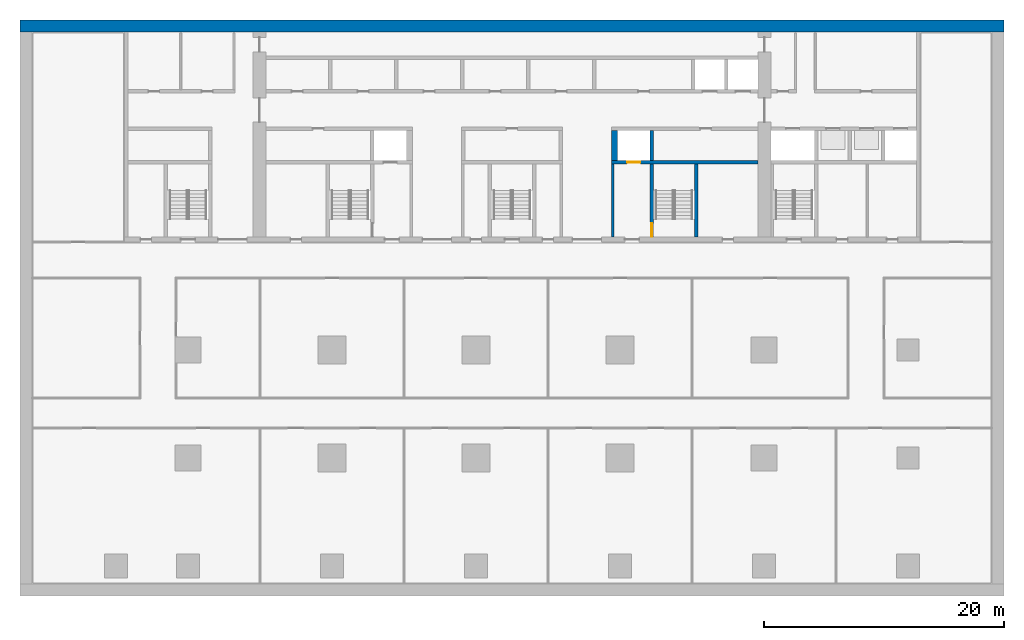
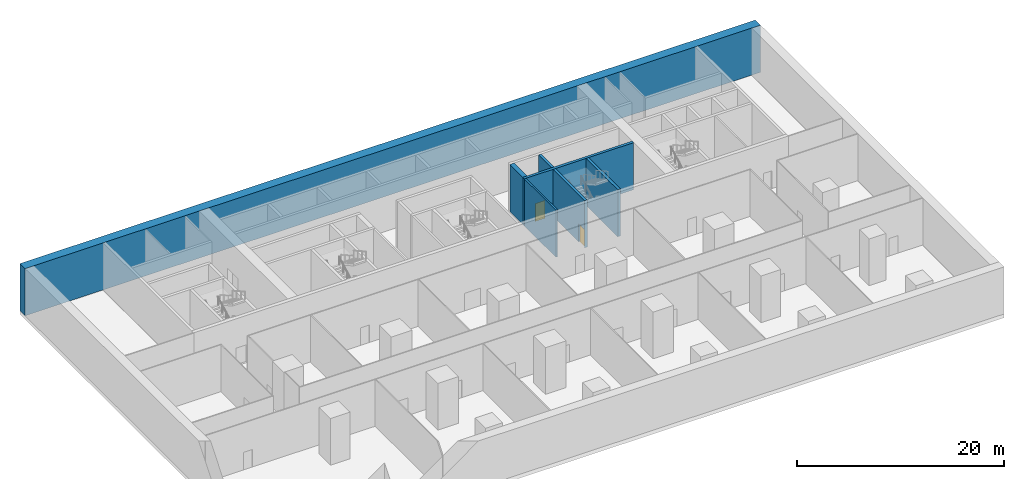
# One storey, part 5 of 10: 7 walls, 2 doors, 2 openings.
"""IFC4 building model written with IfcOpenShell, lengths in metres."""

from ifc_helpers import new_model, si_unit, direction, frame, frame_2d, origin, place, context, subcontext, project, spatial, rectangle, extrude, material, layer, layer_set, type_object, element, fill, save


model = new_model("IFC4")

# Units and contexts
model_context = context("Model", 3, precision=1e-05, world=origin(), true_north=direction((0.0, 1.0)))
body_context = subcontext(model_context, "Body", "Model", "MODEL_VIEW")
ifc_project = project(units=[si_unit("LENGTHUNIT", "METRE"), si_unit("AREAUNIT", "SQUARE_METRE"), si_unit("VOLUMEUNIT", "CUBIC_METRE"), si_unit("PLANEANGLEUNIT", "RADIAN"), si_unit("MASSUNIT", "GRAM", prefix="KILO")], contexts=[model_context])

# Site, building, storey
site_placement = place(None, origin())
site = spatial("IfcSite", under=ifc_project, at=site_placement, CompositionType="ELEMENT")
building_placement = place(site_placement, origin())
building = spatial("IfcBuilding", under=site, at=building_placement, Name="Calvaro Tower", CompositionType="ELEMENT")
storey_placement = place(building_placement, frame((0.0, 0.0, -6.0)))
storey = spatial("IfcBuildingStorey", under=building, at=storey_placement, Name="B1", CompositionType="ELEMENT", Elevation=-6.0)

# Wall
ifc_material_1 = material(Name="Blockwork partition", Category="masonry")
ifc_layer_1 = layer(ifc_material_1, 0.199951171875)
ifc_layer_set_1 = layer_set([ifc_layer_1], Name="Blockwork partition")
wall_type_1 = type_object("IfcWallType", Name="Core partition 200 REI 120", PredefinedType="PARTITIONING", material=ifc_layer_set_1)
wall_1_placement = place(storey_placement, frame((47.39990234375, 28.39990234375, 0.0), z_axis=(0.0, 0.0, 1.0), x_axis=(0.0, 1.0, 0.0)))
element("IfcWall", 1, at=wall_1_placement, inside=storey, type_object=wall_type_1, Name="Core partition", PredefinedType="PARTITIONING", context=body_context, shape_type="SweptSolid", body=[
    extrude(rectangle(XDim=6.10009765625, YDim=0.199951171875, at=frame_2d((3.050048828125, 0.0))), origin(), (0.0, 0.0, 1.0), 5.550048828125),
])

# Wall, opening, door
ifc_material_2 = material(Name="Concrete C80/95", Category="concrete")
ifc_layer_2 = layer(ifc_material_2, 0.300048828125)
ifc_layer_set_2 = layer_set([ifc_layer_2], Name="Concrete C80/95")
wall_type_2 = type_object("IfcWallType", Name="Core wall C80/95 300", PredefinedType="SHEAR", material=ifc_layer_set_2)
wall_2_placement = place(storey_placement, frame((50.64990234375, 34.5, 0.0), z_axis=(0.0, 0.0, 1.0), x_axis=(0.0, -1.0, 0.0)))
wall_2 = element("IfcWall", 2, at=wall_2_placement, inside=storey, type_object=wall_type_2, Name="Core wall, stair enclosure", PredefinedType="SHEAR", context=body_context, shape_type="SweptSolid", body=[
    extrude(rectangle(XDim=6.10009765625, YDim=0.300048828125, at=frame_2d((3.050048828125, 0.0))), origin(), (0.0, 0.0, 1.0), 5.550048828125),
])
opening_1_placement = place(wall_2_placement, frame((4.949951171875, 0.0, 0.0)))
opening_1 = element("IfcOpeningElement", 3, at=opening_1_placement, cuts=wall_2, Name="Opening FD11D", PredefinedType="OPENING", context=body_context, shape_type="SweptSolid", body=[
    extrude(rectangle(XDim=1.10009765625, YDim=2.10009765625, at=frame_2d((0.550048828125, 1.050048828125))), frame((0.0, 0.159912109375, 0.0), z_axis=(0.0, -1.0, 0.0), x_axis=(1.0, 0.0, 0.0)), (0.0, 0.0, 1.0), 0.320068359375),
])
ifc_material_3 = material(Name="Steel door set", Category="steel")
door_type_1 = type_object("IfcDoorType", Name="Fire door 1100 FD30S", OperationType="SINGLE_SWING_LEFT", PredefinedType="DOOR", material=ifc_material_3)
door_1_placement = place(opening_1_placement, origin())
door_1 = element("IfcDoor", 4, at=door_1_placement, inside=storey, type_object=door_type_1, Name="Fire door", OperationType="SINGLE_SWING_RIGHT", OverallHeight=2.10009765625, OverallWidth=1.10009765625, PredefinedType="DOOR", context=body_context, shape_type="SweptSolid", body=[
    extrude(rectangle(XDim=1.10009765625, YDim=2.10009765625, at=frame_2d((0.550048828125, 1.050048828125))), frame((0.0, 0.02490234375, 0.0), z_axis=(0.0, -1.0, 0.0), x_axis=(1.0, 0.0, 0.0)), (0.0, 0.0, 1.0), 0.050048828125),
])
fill(opening_1, door_1)

# Wall
wall_3_placement = place(storey_placement, frame((54.35009765625, 28.39990234375, 0.0), z_axis=(0.0, 0.0, 1.0), x_axis=(0.0, 1.0, 0.0)))
element("IfcWall", 5, at=wall_3_placement, inside=storey, type_object=wall_type_2, Name="Core wall, stair enclosure", PredefinedType="SHEAR", context=body_context, shape_type="SweptSolid", body=[
    extrude(rectangle(XDim=6.10009765625, YDim=0.300048828125, at=frame_2d((3.050048828125, 0.0))), origin(), (0.0, 0.0, 1.0), 5.550048828125),
])

# Wall, opening, door
wall_4_placement = place(storey_placement, frame((47.300048828125, 34.64990234375, 0.0), z_axis=(0.0, 0.0, 1.0), x_axis=(1.0, 0.0, 0.0)))
wall_4 = element("IfcWall", 6, at=wall_4_placement, inside=storey, type_object=wall_type_2, Name="Core wall, lift shaft", PredefinedType="SHEAR", context=body_context, shape_type="SweptSolid", body=[
    extrude(rectangle(XDim=12.199951171875, YDim=0.300048828125, at=frame_2d((6.10009765625, 0.0))), origin(), (0.0, 0.0, 1.0), 5.550048828125),
])
opening_2_placement = place(wall_4_placement, frame((1.300048828125, 0.0, 0.0)))
opening_2 = element("IfcOpeningElement", 7, at=opening_2_placement, cuts=wall_4, Name="Opening FF2", PredefinedType="OPENING", context=body_context, shape_type="SweptSolid", body=[
    extrude(rectangle(XDim=1.10009765625, YDim=2.10009765625, at=frame_2d((0.550048828125, 1.050048828125))), frame((0.0, 0.159912109375, 0.0), z_axis=(0.0, -1.0, 0.0), x_axis=(1.0, 0.0, 0.0)), (0.0, 0.0, 1.0), 0.320068359375),
])
ifc_material_4 = material(Name="Stainless steel", Category="steel")
door_type_2 = type_object("IfcDoorType", Name="Landing door 1100 E 60", OperationType="SLIDING_TO_LEFT", PredefinedType="DOOR", material=ifc_material_4)
door_2_placement = place(opening_2_placement, origin())
door_2 = element("IfcDoor", 8, at=door_2_placement, inside=storey, type_object=door_type_2, Name="Landing door FF2", OperationType="SLIDING_TO_LEFT", OverallHeight=2.10009765625, OverallWidth=1.10009765625, PredefinedType="DOOR", context=body_context, shape_type="SweptSolid", body=[
    extrude(rectangle(XDim=1.10009765625, YDim=2.10009765625, at=frame_2d((0.550048828125, 1.050048828125))), frame((0.0, 0.02490234375, 0.0), z_axis=(0.0, -1.0, 0.0), x_axis=(1.0, 0.0, 0.0)), (0.0, 0.0, 1.0), 0.050048828125),
])
fill(opening_2, door_2)

# Walls
wall_5_placement = place(storey_placement, frame((50.64990234375, 34.800048828125, 0.0), z_axis=(0.0, 0.0, 1.0), x_axis=(0.0, 1.0, 0.0)))
element("IfcWall", 9, at=wall_5_placement, inside=storey, type_object=wall_type_2, Name="Core wall, lift shaft", PredefinedType="SHEAR", context=body_context, shape_type="SweptSolid", body=[
    extrude(rectangle(XDim=2.5, YDim=0.300048828125, at=frame_2d((1.25, 0.0))), origin(), (0.0, 0.0, 1.0), 5.550048828125),
])
ifc_material_5 = material(Name="Concrete C80/95", Category="concrete")
ifc_layer_3 = layer(ifc_material_5, 0.5)
ifc_layer_set_3 = layer_set([ifc_layer_3], Name="Concrete C80/95")
wall_type_3 = type_object("IfcWallType", Name="Core wall C80/95 500", PredefinedType="SHEAR", material=ifc_layer_set_3)
wall_6_placement = place(storey_placement, frame((47.550048828125, 34.800048828125, 0.0), z_axis=(0.0, 0.0, 1.0), x_axis=(0.0, 1.0, 0.0)))
element("IfcWall", 10, at=wall_6_placement, inside=storey, type_object=wall_type_3, Name="Core wall, lift shaft", PredefinedType="SHEAR", context=body_context, shape_type="SweptSolid", body=[
    extrude(rectangle(XDim=2.5, YDim=0.5, at=frame_2d((1.25, 0.0))), origin(), (0.0, 0.0, 1.0), 5.550048828125),
])
ifc_material_6 = material(Name="Concrete C32/40", Category="concrete")
ifc_layer_4 = layer(ifc_material_6, 1.0)
ifc_layer_set_4 = layer_set([ifc_layer_4], Name="Concrete C32/40")
wall_type_4 = type_object("IfcWallType", Name="Retaining wall 1000 C32/40", PredefinedType="SOLIDWALL", material=ifc_layer_set_4)
wall_7_placement = place(storey_placement, frame((-2.0, 46.0, 0.0), z_axis=(0.0, 0.0, 1.0), x_axis=(1.0, 0.0, 0.0)))
element("IfcWall", 11, at=wall_7_placement, inside=storey, type_object=wall_type_4, Name="Basement wall", PredefinedType="SOLIDWALL", context=body_context, shape_type="SweptSolid", body=[
    extrude(rectangle(XDim=82.0, YDim=1.0, at=frame_2d((41.0, 0.0))), origin(), (0.0, 0.0, 1.0), 5.550048828125),
])

save(model, "model.ifc")
